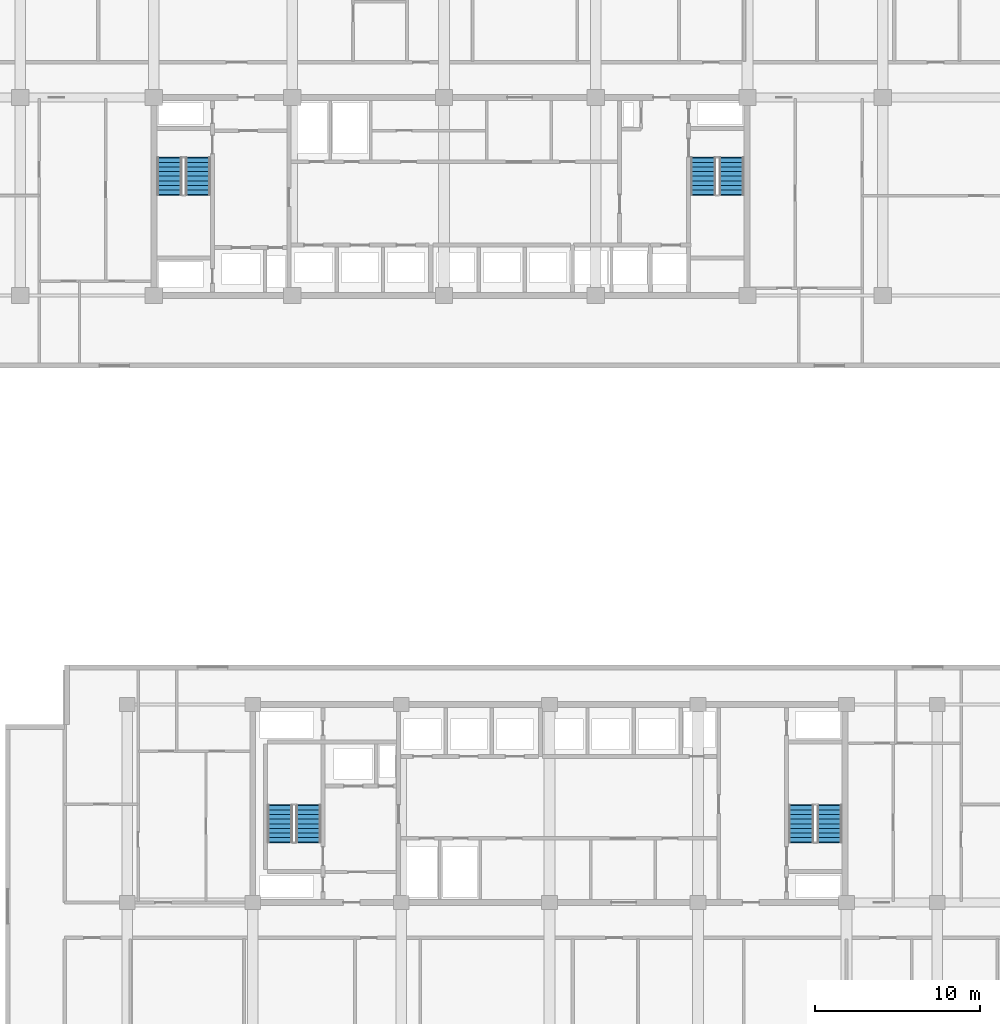
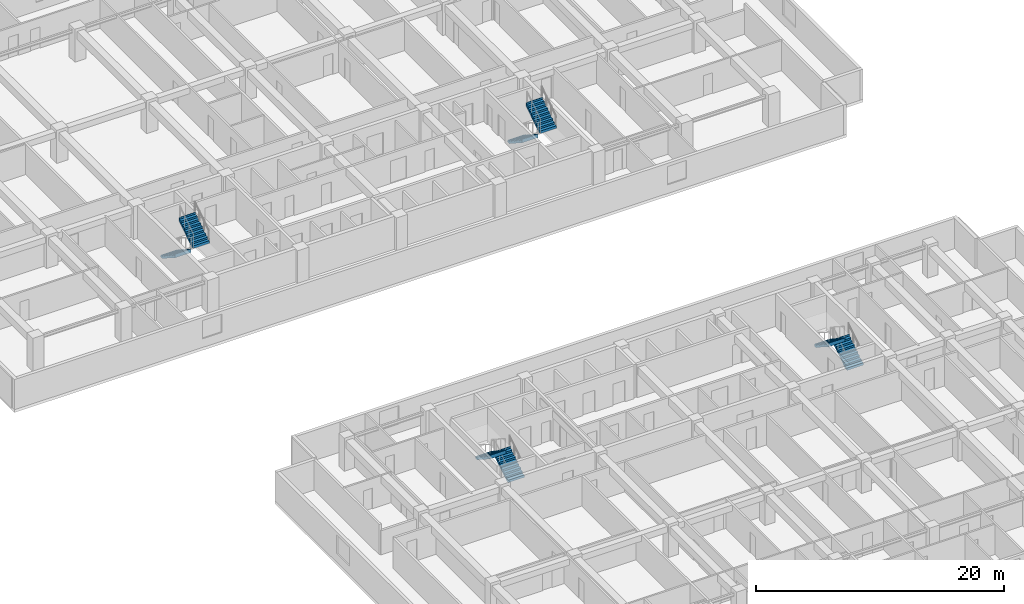
# One storey, part 18 of 23: 8 stair flights, 4 elements without a shape of their own.
"""IFC4 building model written with IfcOpenShell, lengths in metres."""

import ifcopenshell
import ifcopenshell.guid

model = None  # the IFC model being written
_history = None  # IfcOwnerHistory: only IFC2X3 demands one
_inside = {}  # id of a spatial element -> (the spatial element, [elements in it])
_under = {}  # id of a project, library or spatial element -> (it, [spatial elements below it])
_declared = {}  # id of a project -> (the project, [libraries it declares])
_typed = {}  # id of a type object -> (the type object, [elements of that type])
_made_of = {}  # id of a material, layer set ... -> (it, [elements and type objects made of it])


def new_model(schema):
    """Start an empty IFC model of exactly this schema.

    Asked for "IFC4X3", IfcOpenShell would pick the latest addendum, in which some entities
    have other attributes; the version numbers below select the first issue.
    IFC2X3 requires an IfcOwnerHistory on every rooted entity: one is made here for all.
    """
    global model, _history
    if schema == "IFC4X3":
        model = ifcopenshell.file(schema_version=(4, 3, 0, 0))
    else:
        model = ifcopenshell.file(schema=schema)
    _inside.clear()
    _under.clear()
    _declared.clear()
    _typed.clear()
    _made_of.clear()
    _history = None
    if model.schema == "IFC2X3":
        org = make("IfcOrganization", Name="unknown")
        user = make(
            "IfcPersonAndOrganization",
            ThePerson=make("IfcPerson", FamilyName="unknown"),
            TheOrganization=org,
        )
        app = make(
            "IfcApplication",
            ApplicationDeveloper=org,
            Version="unknown",
            ApplicationFullName="unknown",
            ApplicationIdentifier="unknown",
        )
        _history = make(
            "IfcOwnerHistory",
            OwningUser=user,
            OwningApplication=app,
            ChangeAction="ADDED",
            CreationDate=0,
        )
    return model


def make(cls, **values):
    """One entity of the class cls with the attributes given. An attribute that is None is left unset."""
    return model.create_entity(
        cls, **{name: value for name, value in values.items() if value is not None}
    )


def rooted(cls, **values):
    """An entity with a GlobalId (a new one), such as an element, a storey or a relation."""
    return make(cls, GlobalId=ifcopenshell.guid.new(), OwnerHistory=_history, **values)


def si_unit(unit_type, name, prefix=None):
    """IfcSIUnit, for example si_unit("LENGTHUNIT", "METRE", prefix="MILLI")."""
    return make("IfcSIUnit", UnitType=unit_type, Prefix=prefix, Name=name)


def assignment(units):
    """IfcUnitAssignment: the units of a project."""
    return None if units is None else make("IfcUnitAssignment", Units=units)


def point(xyz):
    """IfcCartesianPoint."""
    return None if xyz is None else make("IfcCartesianPoint", Coordinates=xyz)


def direction(xyz):
    """IfcDirection."""
    return None if xyz is None else make("IfcDirection", DirectionRatios=xyz)


def frame(location, z_axis=None, x_axis=None):
    """IfcAxis2Placement3D, a coordinate frame: its origin and axes. An axis left out is left unset."""
    return make(
        "IfcAxis2Placement3D",
        Location=point(location),
        Axis=direction(z_axis),
        RefDirection=direction(x_axis),
    )


def origin():
    """The frame at (0, 0, 0) with its axes left unset."""
    return frame((0.0, 0.0, 0.0))


def place(relative_to, where):
    """IfcLocalPlacement: puts the frame where relative to a parent placement (None: the world)."""
    return make(
        "IfcLocalPlacement", PlacementRelTo=relative_to, RelativePlacement=where
    )


def context(
    kind, dimensions, precision=None, world=None, true_north=None, identifier=None
):
    """IfcGeometricRepresentationContext, for example the 3D "Model" context."""
    return make(
        "IfcGeometricRepresentationContext",
        ContextIdentifier=identifier,
        ContextType=kind,
        CoordinateSpaceDimension=dimensions,
        Precision=precision,
        WorldCoordinateSystem=world,
        TrueNorth=true_north,
    )


def subcontext(parent, identifier, kind, view, scale=None):
    """IfcGeometricRepresentationSubContext, for example "Body" below "Model"."""
    return make(
        "IfcGeometricRepresentationSubContext",
        ContextIdentifier=identifier,
        ContextType=kind,
        ParentContext=parent,
        TargetScale=scale,
        TargetView=view,
    )


def project(units=None, contexts=None):
    """IfcProject with its units and contexts."""
    return rooted(
        "IfcProject",
        Name="project",
        RepresentationContexts=contexts,
        UnitsInContext=assignment(units),
    )


def spatial(cls, under=None, at=None, **own):
    """A site, building, storey or space (cls), placed at a placement, below another one or the project."""
    s = rooted(cls, ObjectPlacement=at, **own)
    if under is not None:
        _under.setdefault(under.id(), (under, []))[1].append(s)
    return s


def polyline(points):
    """IfcPolyline through the points."""
    return make("IfcPolyline", Points=[point(p) for p in points])


def outline(outer, holes=None, kind="AREA"):
    """IfcArbitraryClosedProfileDef: a profile drawn as a closed curve; with holes, ...WithVoids."""
    if holes is None:
        return make("IfcArbitraryClosedProfileDef", ProfileType=kind, OuterCurve=outer)
    return make(
        "IfcArbitraryProfileDefWithVoids",
        ProfileType=kind,
        OuterCurve=outer,
        InnerCurves=holes,
    )


def extrude(swept, where, along, depth):
    """IfcExtrudedAreaSolid: the profile swept, set in the frame where, extruded along a direction by depth."""
    return make(
        "IfcExtrudedAreaSolid",
        SweptArea=swept,
        Position=where,
        ExtrudedDirection=direction(along),
        Depth=depth,
    )


def shape(context_of_items, identifier, shape_type, items):
    """IfcShapeRepresentation: the items that make up one representation, for example the "Body"."""
    return make(
        "IfcShapeRepresentation",
        ContextOfItems=context_of_items,
        RepresentationIdentifier=identifier,
        RepresentationType=shape_type,
        Items=items,
    )


def material(Name=None, Category=None):
    """IfcMaterial."""
    return make("IfcMaterial", Name=Name, Category=Category)


def made_of(thing, what):
    """Note that an element or type object is made of a material, layer set ...; save() writes the relation."""
    if what is not None:
        _made_of.setdefault(what.id(), (what, []))[1].append(thing)
    return thing


def type_object(cls, material=None, **own):
    """A type object (cls), such as IfcWallType, which elements share."""
    return made_of(rooted(cls, **own), material)


def element(
    cls,
    number,
    at=None,
    inside=None,
    cuts=None,
    type_object=None,
    material=None,
    context=None,
    identifier="Body",
    shape_type=None,
    held_by="IfcProductDefinitionShape",
    body=None,
    shapes=None,
    **own,
):
    """One element of the class cls, such as IfcWall. Its Tag is "e" and its number.

    at: its placement. inside: the storey or other place that contains it. cuts: it is an
    opening in that element (IfcRelVoidsElement). A single representation is given by context,
    identifier, shape_type and body (its items); several are given by shapes. held_by: the class
    of the entity that holds the representations. save() writes the other relations.
    """
    e = rooted(cls, Tag="e%d" % number, ObjectPlacement=at, **own)
    if body is not None:
        shapes = [shape(context, identifier, shape_type, body)]
    if shapes is not None:
        e.Representation = make(held_by, Representations=shapes)
    if inside is not None:
        _inside.setdefault(inside.id(), (inside, []))[1].append(e)
    if cuts is not None:
        rooted(
            "IfcRelVoidsElement", RelatingBuildingElement=cuts, RelatedOpeningElement=e
        )
    if type_object is not None:
        _typed.setdefault(type_object.id(), (type_object, []))[1].append(e)
    return made_of(e, material)


def aggregate(whole, parts):
    """IfcRelAggregates: a whole, such as a stair, and the parts it consists of."""
    return rooted("IfcRelAggregates", RelatingObject=whole, RelatedObjects=parts)


def save(model, path):
    """Write the relations noted so far, then the file.

    IfcRelAggregates (storeys below a building ...), IfcRelContainedInSpatialStructure (elements
    in a storey), IfcRelDefinesByType, IfcRelAssociatesMaterial and IfcRelDeclares: one each for
    every whole, place, type object, material and project.
    """
    for whole, parts in _under.values():
        aggregate(whole, parts)
    for where, things in _inside.values():
        rooted(
            "IfcRelContainedInSpatialStructure",
            RelatedElements=things,
            RelatingStructure=where,
        )
    for kind, things in _typed.values():
        rooted("IfcRelDefinesByType", RelatedObjects=things, RelatingType=kind)
    for what, things in _made_of.values():
        rooted("IfcRelAssociatesMaterial", RelatedObjects=things, RelatingMaterial=what)
    for by, libraries in _declared.values():
        rooted("IfcRelDeclares", RelatingContext=by, RelatedDefinitions=libraries)
    model.write(path)


model = new_model("IFC4")

# Units and contexts
model_context = context("Model", 3, precision=1e-05, world=origin(), true_north=direction((0.0, 1.0)))
body_context = subcontext(model_context, "Body", "Model", "MODEL_VIEW")
ifc_project = project(units=[si_unit("LENGTHUNIT", "METRE"), si_unit("AREAUNIT", "SQUARE_METRE"), si_unit("VOLUMEUNIT", "CUBIC_METRE"), si_unit("PLANEANGLEUNIT", "RADIAN"), si_unit("MASSUNIT", "GRAM", prefix="KILO")], contexts=[model_context])

# Site, building, storey
site_placement = place(None, origin())
site = spatial("IfcSite", under=ifc_project, at=site_placement, CompositionType="ELEMENT")
building_placement = place(site_placement, origin())
building = spatial("IfcBuilding", under=site, at=building_placement, Name="Korimba Cascade Residences", CompositionType="ELEMENT")
storey_placement = place(building_placement, frame((0.0, 0.0, 72.75)))
storey = spatial("IfcBuildingStorey", under=building, at=storey_placement, Name="L20", CompositionType="ELEMENT", Elevation=72.75)

# Stair, stair flights
ifc_material = material(Name="Concrete C50/60", Category="concrete")
stair_type_1 = type_object("IfcStairType", Name="STR-W1-18R-1806", PredefinedType="HALF_TURN_STAIR", material=ifc_material)
stair_1_placement = place(storey_placement, origin())
stair_1 = element("IfcStair", 1, at=stair_1_placement, inside=storey, type_object=stair_type_1, Name="L20 Tower 1 West Fire Stair ST-W1", PredefinedType="HALF_TURN_STAIR")
stair_flight_type = type_object("IfcStairFlightType", Name="STF-DL-18R-1806-1520", PredefinedType="STRAIGHT", material=ifc_material)
stair_flight_1_placement = place(storey_placement, frame((77.06005859375, 63.550048828125, 0.0), z_axis=(0.0, 0.0, 1.0), x_axis=(0.0, -1.0, 0.0)))
stair_flight_1 = element("IfcStairFlight", 2, at=stair_flight_1_placement, type_object=stair_flight_type, Name="ST-W1 flight 1", NumberOfRisers=9, NumberOfTreads=8, PredefinedType="STRAIGHT", RiserHeight=0.180555556, TreadLength=0.28, context=body_context, shape_type="SweptSolid", body=[
    extrude(outline(polyline([(-0.0380859375, 0.0), (0.0, 0.1806640625), (0.280029296875, 0.1806640625), (0.280029296875, 0.361083984375), (0.56005859375, 0.361083984375), (0.56005859375, 0.541748046875), (0.840087890625, 0.541748046875), (0.840087890625, 0.72216796875), (1.1201171875, 0.72216796875), (1.1201171875, 0.90283203125), (1.39990234375, 0.90283203125), (1.39990234375, 1.083251953125), (1.679931640625, 1.083251953125), (1.679931640625, 1.263916015625), (1.9599609375, 1.263916015625), (1.9599609375, 1.4443359375), (2.239990234375, 1.4443359375), (2.239990234375, 1.625), (2.278076171875, 1.625), (2.278076171875, 1.26611328125), (0.276611328125, 0.0), (0.276611328125, -0.0380859375), (-0.0380859375, -0.0380859375), (-0.0380859375, 0.0)])), frame((0.0, 0.760009765625, 0.0), z_axis=(0.0, -1.0, 0.0), x_axis=(1.0, 0.0, 0.0)), (0.0, 0.0, 1.0), 1.52001953125),
])
stair_flight_2_placement = place(storey_placement, frame((78.780029296875, 61.31005859375, 1.625), z_axis=(0.0, 0.0, 1.0), x_axis=(0.0, 1.0, 0.0)))
stair_flight_2 = element("IfcStairFlight", 3, at=stair_flight_2_placement, type_object=stair_flight_type, Name="ST-W1 flight 2", NumberOfRisers=9, NumberOfTreads=8, PredefinedType="STRAIGHT", RiserHeight=0.180555556, TreadLength=0.28, context=body_context, shape_type="SweptSolid", body=[
    extrude(outline(polyline([(-0.0380859375, 0.0), (0.0, 0.1806640625), (0.280029296875, 0.1806640625), (0.280029296875, 0.361083984375), (0.56005859375, 0.361083984375), (0.56005859375, 0.541748046875), (0.840087890625, 0.541748046875), (0.840087890625, 0.72216796875), (1.1201171875, 0.72216796875), (1.1201171875, 0.90283203125), (1.39990234375, 0.90283203125), (1.39990234375, 1.083251953125), (1.679931640625, 1.083251953125), (1.679931640625, 1.263916015625), (1.9599609375, 1.263916015625), (1.9599609375, 1.4443359375), (2.239990234375, 1.4443359375), (2.239990234375, 1.625), (2.278076171875, 1.625), (2.278076171875, 1.26611328125), (0.276611328125, 0.0), (0.276611328125, -0.0380859375), (-0.0380859375, -0.0380859375), (-0.0380859375, 0.0)])), frame((0.0, 0.760009765625, 0.0), z_axis=(0.0, -1.0, 0.0), x_axis=(1.0, 0.0, 0.0)), (0.0, 0.0, 1.0), 1.52001953125),
])
aggregate(stair_1, [stair_flight_1, stair_flight_2])

stair_type_2 = type_object("IfcStairType", Name="STR-W2-18R-1806", PredefinedType="HALF_TURN_STAIR", material=ifc_material)
stair_2_placement = place(storey_placement, origin())
stair_2 = element("IfcStair", 4, at=stair_2_placement, inside=storey, type_object=stair_type_2, Name="L20 Tower 1 East Fire Stair ST-W2", PredefinedType="HALF_TURN_STAIR")
stair_flight_3_placement = place(storey_placement, frame((109.419921875, 63.550048828125, 0.0), z_axis=(0.0, 0.0, 1.0), x_axis=(0.0, -1.0, 0.0)))
stair_flight_3 = element("IfcStairFlight", 5, at=stair_flight_3_placement, type_object=stair_flight_type, Name="ST-W2 flight 1", NumberOfRisers=9, NumberOfTreads=8, PredefinedType="STRAIGHT", RiserHeight=0.180555556, TreadLength=0.28, context=body_context, shape_type="SweptSolid", body=[
    extrude(outline(polyline([(-0.0380859375, 0.0), (0.0, 0.1806640625), (0.280029296875, 0.1806640625), (0.280029296875, 0.361083984375), (0.56005859375, 0.361083984375), (0.56005859375, 0.541748046875), (0.840087890625, 0.541748046875), (0.840087890625, 0.72216796875), (1.1201171875, 0.72216796875), (1.1201171875, 0.90283203125), (1.39990234375, 0.90283203125), (1.39990234375, 1.083251953125), (1.679931640625, 1.083251953125), (1.679931640625, 1.263916015625), (1.9599609375, 1.263916015625), (1.9599609375, 1.4443359375), (2.239990234375, 1.4443359375), (2.239990234375, 1.625), (2.278076171875, 1.625), (2.278076171875, 1.26611328125), (0.276611328125, 0.0), (0.276611328125, -0.0380859375), (-0.0380859375, -0.0380859375), (-0.0380859375, 0.0)])), frame((0.0, 0.760009765625, 0.0), z_axis=(0.0, -1.0, 0.0), x_axis=(1.0, 0.0, 0.0)), (0.0, 0.0, 1.0), 1.52001953125),
])
stair_flight_4_placement = place(storey_placement, frame((111.139892578125, 61.31005859375, 1.625), z_axis=(0.0, 0.0, 1.0), x_axis=(0.0, 1.0, 0.0)))
stair_flight_4 = element("IfcStairFlight", 6, at=stair_flight_4_placement, type_object=stair_flight_type, Name="ST-W2 flight 2", NumberOfRisers=9, NumberOfTreads=8, PredefinedType="STRAIGHT", RiserHeight=0.180555556, TreadLength=0.28, context=body_context, shape_type="SweptSolid", body=[
    extrude(outline(polyline([(-0.0380859375, 0.0), (0.0, 0.1806640625), (0.280029296875, 0.1806640625), (0.280029296875, 0.361083984375), (0.56005859375, 0.361083984375), (0.56005859375, 0.541748046875), (0.840087890625, 0.541748046875), (0.840087890625, 0.72216796875), (1.1201171875, 0.72216796875), (1.1201171875, 0.90283203125), (1.39990234375, 0.90283203125), (1.39990234375, 1.083251953125), (1.679931640625, 1.083251953125), (1.679931640625, 1.263916015625), (1.9599609375, 1.263916015625), (1.9599609375, 1.4443359375), (2.239990234375, 1.4443359375), (2.239990234375, 1.625), (2.278076171875, 1.625), (2.278076171875, 1.26611328125), (0.276611328125, 0.0), (0.276611328125, -0.0380859375), (-0.0380859375, -0.0380859375), (-0.0380859375, 0.0)])), frame((0.0, 0.760009765625, 0.0), z_axis=(0.0, -1.0, 0.0), x_axis=(1.0, 0.0, 0.0)), (0.0, 0.0, 1.0), 1.52001953125),
])
aggregate(stair_2, [stair_flight_3, stair_flight_4])

stair_type_3 = type_object("IfcStairType", Name="STR-E1-18R-1806", PredefinedType="HALF_TURN_STAIR", material=ifc_material)
stair_3_placement = place(storey_placement, origin())
stair_3 = element("IfcStair", 7, at=stair_3_placement, inside=storey, type_object=stair_type_3, Name="L20 Tower 2 West Fire Stair ST-E1", PredefinedType="HALF_TURN_STAIR")
stair_flight_5_placement = place(storey_placement, frame((85.47998046875, 22.050048828125, 0.0), z_axis=(0.0, 0.0, 1.0), x_axis=(0.0, 1.0, 0.0)))
stair_flight_5 = element("IfcStairFlight", 8, at=stair_flight_5_placement, type_object=stair_flight_type, Name="ST-E1 flight 1", NumberOfRisers=9, NumberOfTreads=8, PredefinedType="STRAIGHT", RiserHeight=0.180555556, TreadLength=0.28, context=body_context, shape_type="SweptSolid", body=[
    extrude(outline(polyline([(-0.0380859375, 0.0), (0.0, 0.1806640625), (0.280029296875, 0.1806640625), (0.280029296875, 0.361083984375), (0.56005859375, 0.361083984375), (0.56005859375, 0.541748046875), (0.840087890625, 0.541748046875), (0.840087890625, 0.72216796875), (1.1201171875, 0.72216796875), (1.1201171875, 0.90283203125), (1.39990234375, 0.90283203125), (1.39990234375, 1.083251953125), (1.679931640625, 1.083251953125), (1.679931640625, 1.263916015625), (1.9599609375, 1.263916015625), (1.9599609375, 1.4443359375), (2.239990234375, 1.4443359375), (2.239990234375, 1.625), (2.278076171875, 1.625), (2.278076171875, 1.26611328125), (0.276611328125, 0.0), (0.276611328125, -0.0380859375), (-0.0380859375, -0.0380859375), (-0.0380859375, 0.0)])), frame((0.0, 0.760009765625, 0.0), z_axis=(0.0, -1.0, 0.0), x_axis=(1.0, 0.0, 0.0)), (0.0, 0.0, 1.0), 1.52001953125),
])
stair_flight_6_placement = place(storey_placement, frame((83.760009765625, 24.2900390625, 1.625), z_axis=(0.0, 0.0, 1.0), x_axis=(0.0, -1.0, 0.0)))
stair_flight_6 = element("IfcStairFlight", 9, at=stair_flight_6_placement, type_object=stair_flight_type, Name="ST-E1 flight 2", NumberOfRisers=9, NumberOfTreads=8, PredefinedType="STRAIGHT", RiserHeight=0.180555556, TreadLength=0.28, context=body_context, shape_type="SweptSolid", body=[
    extrude(outline(polyline([(-0.0380859375, 0.0), (0.0, 0.1806640625), (0.280029296875, 0.1806640625), (0.280029296875, 0.361083984375), (0.56005859375, 0.361083984375), (0.56005859375, 0.541748046875), (0.840087890625, 0.541748046875), (0.840087890625, 0.72216796875), (1.1201171875, 0.72216796875), (1.1201171875, 0.90283203125), (1.39990234375, 0.90283203125), (1.39990234375, 1.083251953125), (1.679931640625, 1.083251953125), (1.679931640625, 1.263916015625), (1.9599609375, 1.263916015625), (1.9599609375, 1.4443359375), (2.239990234375, 1.4443359375), (2.239990234375, 1.625), (2.278076171875, 1.625), (2.278076171875, 1.26611328125), (0.276611328125, 0.0), (0.276611328125, -0.0380859375), (-0.0380859375, -0.0380859375), (-0.0380859375, 0.0)])), frame((0.0, 0.760009765625, 0.0), z_axis=(0.0, -1.0, 0.0), x_axis=(1.0, 0.0, 0.0)), (0.0, 0.0, 1.0), 1.52001953125),
])
aggregate(stair_3, [stair_flight_5, stair_flight_6])

stair_type_4 = type_object("IfcStairType", Name="STR-E2-18R-1806", PredefinedType="HALF_TURN_STAIR", material=ifc_material)
stair_4_placement = place(storey_placement, origin())
stair_4 = element("IfcStair", 10, at=stair_4_placement, inside=storey, type_object=stair_type_4, Name="L20 Tower 2 East Fire Stair ST-E2", PredefinedType="HALF_TURN_STAIR")
stair_flight_7_placement = place(storey_placement, frame((117.080078125, 22.050048828125, 0.0), z_axis=(0.0, 0.0, 1.0), x_axis=(0.0, 1.0, 0.0)))
stair_flight_7 = element("IfcStairFlight", 11, at=stair_flight_7_placement, type_object=stair_flight_type, Name="ST-E2 flight 1", NumberOfRisers=9, NumberOfTreads=8, PredefinedType="STRAIGHT", RiserHeight=0.180555556, TreadLength=0.28, context=body_context, shape_type="SweptSolid", body=[
    extrude(outline(polyline([(-0.0380859375, 0.0), (0.0, 0.1806640625), (0.280029296875, 0.1806640625), (0.280029296875, 0.361083984375), (0.56005859375, 0.361083984375), (0.56005859375, 0.541748046875), (0.840087890625, 0.541748046875), (0.840087890625, 0.72216796875), (1.1201171875, 0.72216796875), (1.1201171875, 0.90283203125), (1.39990234375, 0.90283203125), (1.39990234375, 1.083251953125), (1.679931640625, 1.083251953125), (1.679931640625, 1.263916015625), (1.9599609375, 1.263916015625), (1.9599609375, 1.4443359375), (2.239990234375, 1.4443359375), (2.239990234375, 1.625), (2.278076171875, 1.625), (2.278076171875, 1.26611328125), (0.276611328125, 0.0), (0.276611328125, -0.0380859375), (-0.0380859375, -0.0380859375), (-0.0380859375, 0.0)])), frame((0.0, 0.760009765625, 0.0), z_axis=(0.0, -1.0, 0.0), x_axis=(1.0, 0.0, 0.0)), (0.0, 0.0, 1.0), 1.52001953125),
])
stair_flight_8_placement = place(storey_placement, frame((115.360107421875, 24.2900390625, 1.625), z_axis=(0.0, 0.0, 1.0), x_axis=(0.0, -1.0, 0.0)))
stair_flight_8 = element("IfcStairFlight", 12, at=stair_flight_8_placement, type_object=stair_flight_type, Name="ST-E2 flight 2", NumberOfRisers=9, NumberOfTreads=8, PredefinedType="STRAIGHT", RiserHeight=0.180555556, TreadLength=0.28, context=body_context, shape_type="SweptSolid", body=[
    extrude(outline(polyline([(-0.0380859375, 0.0), (0.0, 0.1806640625), (0.280029296875, 0.1806640625), (0.280029296875, 0.361083984375), (0.56005859375, 0.361083984375), (0.56005859375, 0.541748046875), (0.840087890625, 0.541748046875), (0.840087890625, 0.72216796875), (1.1201171875, 0.72216796875), (1.1201171875, 0.90283203125), (1.39990234375, 0.90283203125), (1.39990234375, 1.083251953125), (1.679931640625, 1.083251953125), (1.679931640625, 1.263916015625), (1.9599609375, 1.263916015625), (1.9599609375, 1.4443359375), (2.239990234375, 1.4443359375), (2.239990234375, 1.625), (2.278076171875, 1.625), (2.278076171875, 1.26611328125), (0.276611328125, 0.0), (0.276611328125, -0.0380859375), (-0.0380859375, -0.0380859375), (-0.0380859375, 0.0)])), frame((0.0, 0.760009765625, 0.0), z_axis=(0.0, -1.0, 0.0), x_axis=(1.0, 0.0, 0.0)), (0.0, 0.0, 1.0), 1.52001953125),
])
aggregate(stair_4, [stair_flight_7, stair_flight_8])

save(model, "model.ifc")
